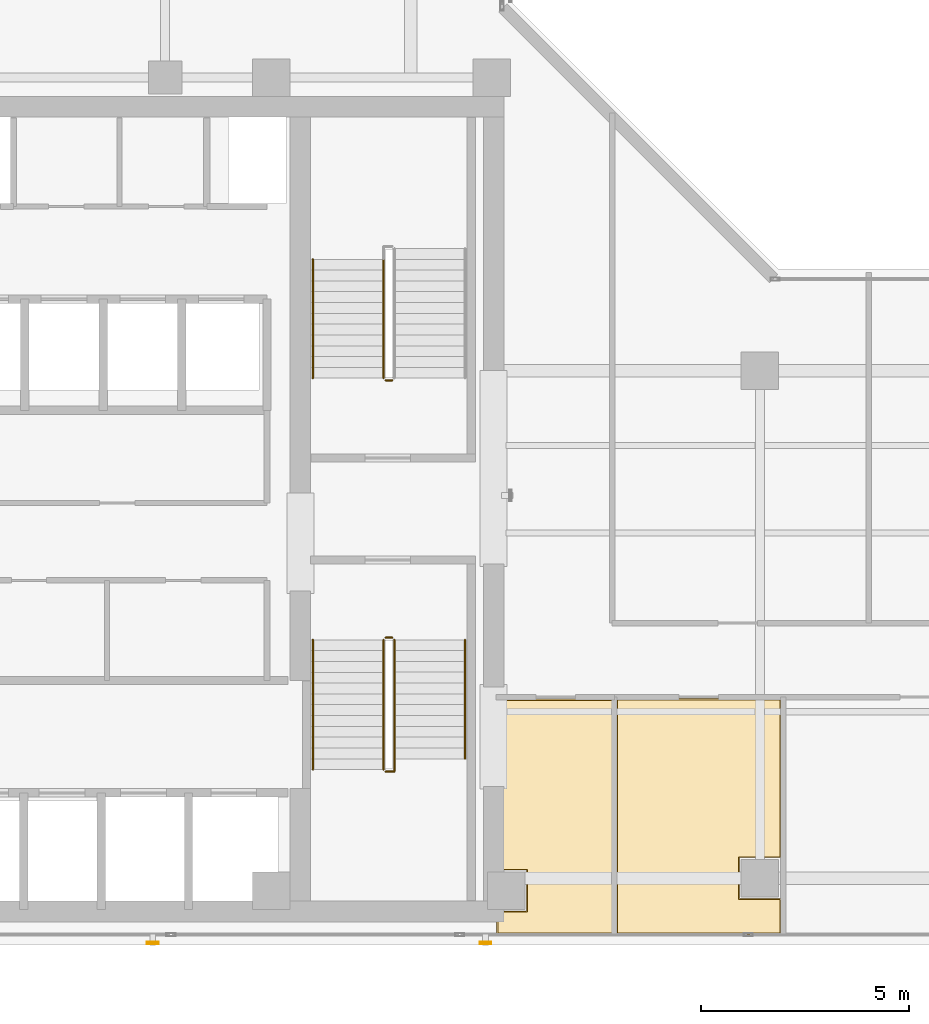
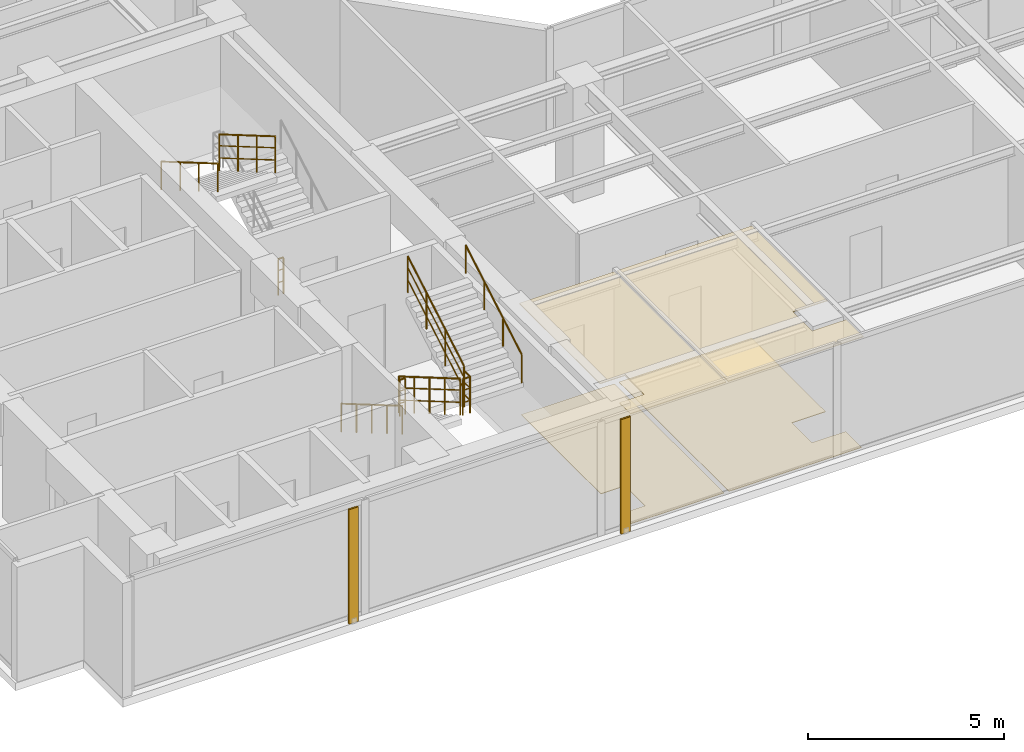
# One storey, part 19 of 23: 9 railings, 4 coverings, 2 shading devices.
"""IFC4 building model written with IfcOpenShell, lengths in metres."""

from ifc_helpers import new_model, si_unit, direction, frame, origin, origin_2d, place, context, subcontext, project, spatial, polyline, hollow_rectangle, circle, outline, extrude, material, layer, layer_set, material_profile, profile_set, type_object, element, save


model = new_model("IFC4")

# Units and contexts
model_context = context("Model", 3, precision=1e-05, world=origin(), true_north=direction((0.0, 1.0)))
body_context = subcontext(model_context, "Body", "Model", "MODEL_VIEW")
ifc_project = project(units=[si_unit("LENGTHUNIT", "METRE"), si_unit("AREAUNIT", "SQUARE_METRE"), si_unit("VOLUMEUNIT", "CUBIC_METRE"), si_unit("PLANEANGLEUNIT", "RADIAN"), si_unit("MASSUNIT", "GRAM", prefix="KILO")], contexts=[model_context])

# Site, building, storey
site_placement = place(None, origin())
site = spatial("IfcSite", under=ifc_project, at=site_placement, CompositionType="ELEMENT")
building_placement = place(site_placement, origin())
building = spatial("IfcBuilding", under=site, at=building_placement, Name="Kolvaren Waterfront Exchange", CompositionType="ELEMENT")
storey_placement = place(building_placement, frame((0.0, 0.0, 319.800048828125)))
storey = spatial("IfcBuildingStorey", under=building, at=storey_placement, Name="L82", CompositionType="ELEMENT", Elevation=319.800048828125)

# Coverings
ifc_material_1 = material(Name="Mineral fibre acoustic ceiling tile")
ifc_layer_1 = layer(ifc_material_1, 0.02490234375, Name="Mineral fibre acoustic ceiling tile")
ifc_layer_set_1 = layer_set([ifc_layer_1], Name="Mineral fibre acoustic ceiling tile")
covering_type_1 = type_object("IfcCoveringType", Name="ARC-CEIL-ACOUSTIC-25", PredefinedType="CEILING", material=ifc_layer_set_1)
covering_1_placement = place(storey_placement, frame((0.0, 0.0, 3.445068359375)))
element("IfcCovering", 1, at=covering_1_placement, inside=storey, type_object=covering_type_1, Name="L82 acoustic suspended ceiling 2", PredefinedType="CEILING", context=body_context, shape_type="SweptSolid", body=[
    extrude(outline(polyline([(20.864990234375, 5.389892578125), (21.590087890625, 5.389892578125), (21.590087890625, 4.409912109375), (20.864990234375, 4.409912109375), (20.864990234375, 3.844970703125), (23.675048828125, 3.844970703125), (23.675048828125, 9.5048828125), (20.864990234375, 9.5048828125), (20.864990234375, 5.389892578125)])), origin(), (0.0, 0.0, 1.0), 0.02490234375),
])
covering_2_placement = place(storey_placement, frame((0.0, 0.0, 3.445068359375)))
element("IfcCovering", 2, at=covering_2_placement, inside=storey, type_object=covering_type_1, Name="L82 acoustic suspended ceiling 3", PredefinedType="CEILING", context=body_context, shape_type="SweptSolid", body=[
    extrude(outline(polyline([(27.715087890625, 5.675048828125), (27.715087890625, 9.514892578125), (23.7451171875, 9.514892578125), (23.7451171875, 3.844970703125), (27.715087890625, 3.844970703125), (27.715087890625, 4.72509765625), (27.68994140625, 4.72509765625), (27.68994140625, 4.7099609375), (26.7099609375, 4.7099609375), (26.7099609375, 5.68994140625), (27.68994140625, 5.68994140625), (27.68994140625, 5.675048828125), (27.715087890625, 5.675048828125)])), origin(), (0.0, 0.0, 1.0), 0.02490234375),
])

# Shading devices
ifc_material_2 = material(Name="Anodised bronze aluminium 6063-T6", Category="aluminium")
ifc_material_profile = material_profile(ifc_material_2, hollow_rectangle(XDim=0.054931640625, YDim=0.280029296875, WallThickness=0.00439453125, at=origin_2d()), Name="BRZ-FIN-280x55x4.5")
ifc_profile_set = profile_set([ifc_material_profile], Name="Anodised bronze aluminium 6063-T6")
shading_device_type = type_object("IfcShadingDeviceType", Name="ARC-FIN-280", PredefinedType="USERDEFINED", material=ifc_profile_set)
for number, where, z_axis, x_axis, name in (
    (3, (12.60009765625, 3.639892578125, 0.0), (0.0, 0.0, 1.0), (0.0, -1.0, 0.0), "L82 anodised bronze solar shading fin FIN-L82-S1"),
    (4, (20.60009765625, 3.639892578125, 0.0), (0.0, 0.0, 1.0), (0.0, -1.0, 0.0), "L82 anodised bronze solar shading fin FIN-L82-S2"),
):
    element("IfcShadingDevice", number, at=place(storey_placement, frame(where, z_axis=z_axis, x_axis=x_axis)), inside=storey, type_object=shading_device_type, Name=name, ObjectType="SOLAR FIN", PredefinedType="USERDEFINED", context=body_context, shape_type="SweptSolid", body=[
        extrude(hollow_rectangle(XDim=0.054931640625, YDim=0.280029296875, WallThickness=0.00439453125, at=origin_2d()), origin(), (0.0, 0.0, 1.0), 3.56005859375),
    ])

# Coverings
ifc_material_3 = material(Name="Slip-resistant porcelain tile")
ifc_layer_2 = layer(ifc_material_3, 0.014892578125, Name="Slip-resistant porcelain tile")
ifc_layer_set_2 = layer_set([ifc_layer_2], Name="Slip-resistant porcelain tile")
covering_type_2 = type_object("IfcCoveringType", Name="ARC-FLR-PORC-15", PredefinedType="FLOORING", material=ifc_layer_set_2)
covering_3_placement = place(storey_placement, origin())
element("IfcCovering", 5, at=covering_3_placement, inside=storey, type_object=covering_type_2, Name="L82 floor finish 2", PredefinedType="FLOORING", context=body_context, shape_type="SweptSolid", body=[
    extrude(outline(polyline([(20.89990234375, 4.389892578125), (20.89990234375, 3.8798828125), (23.639892578125, 3.8798828125), (23.639892578125, 9.469970703125), (20.89990234375, 9.469970703125), (20.89990234375, 5.409912109375), (21.610107421875, 5.409912109375), (21.610107421875, 4.389892578125), (20.89990234375, 4.389892578125)])), origin(), (0.0, 0.0, 1.0), 0.014892578125),
])
covering_4_placement = place(storey_placement, origin())
element("IfcCovering", 6, at=covering_4_placement, inside=storey, type_object=covering_type_2, Name="L82 floor finish 3", PredefinedType="FLOORING", context=body_context, shape_type="SweptSolid", body=[
    extrude(outline(polyline([(23.780029296875, 9.47998046875), (23.780029296875, 3.8798828125), (27.679931640625, 3.8798828125), (27.679931640625, 4.68994140625), (26.68994140625, 4.68994140625), (26.68994140625, 5.7099609375), (27.679931640625, 5.7099609375), (27.679931640625, 9.47998046875), (23.780029296875, 9.47998046875)])), origin(), (0.0, 0.0, 1.0), 0.014892578125),
])

# Railings
ifc_material_4 = material(Name="Stainless steel 316", Category="steel")
railing_type_1 = type_object("IfcRailingType", Name="ARC-GUARD-STAIR", PredefinedType="GUARDRAIL", material=ifc_material_4)
railing_1_placement = place(storey_placement, frame((18.14990234375, 10.929931640625, 0.15185546875)))
element("IfcRailing", 7, at=railing_1_placement, inside=storey, type_object=railing_type_1, Name="L82 ST1 stair guard 1", PredefinedType="GUARDRAIL", context=body_context, shape_type="SweptSolid", body=[
    extrude(circle(Radius=0.02392578125, at=origin_2d()), frame((0.0, 0.0, 1.1259765625), z_axis=(0.0, -0.86329090724, 0.504706656858), x_axis=(1.0, 0.0, 0.0)), (0.0, 0.0, 1.0), 3.614013671875),
    extrude(circle(Radius=0.01611328125, at=origin_2d()), frame((0.0, 0.0, 0.390869140625), z_axis=(0.0, -0.86329090724, 0.504706656858), x_axis=(1.0, 0.0, 0.0)), (0.0, 0.0, 1.0), 3.614013671875),
    extrude(circle(Radius=0.01611328125, at=origin_2d()), frame((0.0, 0.0, 0.7705078125), z_axis=(0.0, -0.86329090724, 0.504706656858), x_axis=(1.0, 0.0, 0.0)), (0.0, 0.0, 1.0), 3.614013671875),
    extrude(circle(Radius=0.02099609375, at=origin_2d()), origin(), (0.0, 0.0, 1.0), 1.101806640625),
    extrude(circle(Radius=0.02099609375, at=origin_2d()), frame((0.0, -0.780029296875, 0.4560546875)), (0.0, 0.0, 1.0), 1.101806640625),
    extrude(circle(Radius=0.02099609375, at=origin_2d()), frame((0.0, -1.56005859375, 0.912109375)), (0.0, 0.0, 1.0), 1.101806640625),
    extrude(circle(Radius=0.02099609375, at=origin_2d()), frame((0.0, -2.33984375, 1.367919921875)), (0.0, 0.0, 1.0), 1.101806640625),
    extrude(circle(Radius=0.02099609375, at=origin_2d()), frame((0.0, -3.119873046875, 1.823974609375)), (0.0, 0.0, 1.0), 1.101806640625),
])
railing_2_placement = place(storey_placement, frame((18.199951171875, 7.760009765625, 1.975830078125)))
element("IfcRailing", 8, at=railing_2_placement, inside=storey, type_object=railing_type_1, Name="L82 ST1 stair guard 2", PredefinedType="GUARDRAIL", context=body_context, shape_type="SweptSolid", body=[
    extrude(circle(Radius=0.02392578125, at=origin_2d()), frame((0.0, 0.0, 1.1259765625), z_axis=(1.0, 0.0, 0.0), x_axis=(0.0, 1.0, 0.0)), (0.0, 0.0, 1.0), 0.2099609375),
    extrude(circle(Radius=0.01611328125, at=origin_2d()), frame((0.0, 0.0, 0.390869140625), z_axis=(1.0, 0.0, 0.0), x_axis=(0.0, 1.0, 0.0)), (0.0, 0.0, 1.0), 0.2099609375),
    extrude(circle(Radius=0.01611328125, at=origin_2d()), frame((0.0, 0.0, 0.7705078125), z_axis=(1.0, 0.0, 0.0), x_axis=(0.0, 1.0, 0.0)), (0.0, 0.0, 1.0), 0.2099609375),
    extrude(circle(Radius=0.02392578125, at=origin_2d()), frame((0.2099609375, 0.0, 1.1259765625), z_axis=(0.0, 1.0, 0.0), x_axis=(-1.0, 0.0, 0.0)), (0.0, 0.0, 1.0), 0.31005859375),
    extrude(circle(Radius=0.01611328125, at=origin_2d()), frame((0.2099609375, 0.0, 0.390869140625), z_axis=(0.0, 1.0, 0.0), x_axis=(-1.0, 0.0, 0.0)), (0.0, 0.0, 1.0), 0.31005859375),
    extrude(circle(Radius=0.01611328125, at=origin_2d()), frame((0.2099609375, 0.0, 0.7705078125), z_axis=(0.0, 1.0, 0.0), x_axis=(-1.0, 0.0, 0.0)), (0.0, 0.0, 1.0), 0.31005859375),
    extrude(circle(Radius=0.02099609375, at=origin_2d()), origin(), (0.0, 0.0, 1.0), 1.101806640625),
    extrude(circle(Radius=0.02099609375, at=origin_2d()), frame((0.2099609375, 0.0, 0.0)), (0.0, 0.0, 1.0), 1.101806640625),
    extrude(circle(Radius=0.02099609375, at=origin_2d()), frame((0.2099609375, 0.31005859375, 0.0)), (0.0, 0.0, 1.0), 1.101806640625),
])
railing_3_placement = place(storey_placement, frame((18.409912109375, 8.070068359375, 2.1279296875)))
element("IfcRailing", 9, at=railing_3_placement, inside=storey, type_object=railing_type_1, Name="L82 ST1 stair guard 3", PredefinedType="GUARDRAIL", context=body_context, shape_type="SweptSolid", body=[
    extrude(circle(Radius=0.02392578125, at=origin_2d()), frame((0.0, 0.0, 1.1259765625), z_axis=(0.0, 0.863270611444, 0.50474137082), x_axis=(-1.0, 0.0, 0.0)), (0.0, 0.0, 1.0), 3.312744140625),
    extrude(circle(Radius=0.01611328125, at=origin_2d()), frame((0.0, 0.0, 0.390869140625), z_axis=(0.0, 0.863270611444, 0.50474137082), x_axis=(-1.0, 0.0, 0.0)), (0.0, 0.0, 1.0), 3.312744140625),
    extrude(circle(Radius=0.01611328125, at=origin_2d()), frame((0.0, 0.0, 0.7705078125), z_axis=(0.0, 0.863270611444, 0.50474137082), x_axis=(-1.0, 0.0, 0.0)), (0.0, 0.0, 1.0), 3.312744140625),
    extrude(circle(Radius=0.02099609375, at=origin_2d()), origin(), (0.0, 0.0, 1.0), 1.101806640625),
    extrude(circle(Radius=0.02099609375, at=origin_2d()), frame((0.0, 0.953369140625, 0.557373046875)), (0.0, 0.0, 1.0), 1.101806640625),
    extrude(circle(Radius=0.02099609375, at=origin_2d()), frame((0.0, 1.906494140625, 1.11474609375)), (0.0, 0.0, 1.0), 1.101806640625),
    extrude(circle(Radius=0.02099609375, at=origin_2d()), frame((0.0, 2.85986328125, 1.672119140625)), (0.0, 0.0, 1.0), 1.101806640625),
])
railing_4_placement = place(storey_placement, frame((18.199951171875, 10.97998046875, 0.0)))
element("IfcRailing", 10, at=railing_4_placement, inside=storey, type_object=railing_type_1, Name="L82 ST1 stair guard 4", PredefinedType="GUARDRAIL", context=body_context, shape_type="SweptSolid", body=[
    extrude(circle(Radius=0.02392578125, at=origin_2d()), frame((0.0, 0.0, 1.1259765625), z_axis=(1.0, 0.0, 0.0), x_axis=(0.0, 1.0, 0.0)), (0.0, 0.0, 1.0), 0.16015625),
    extrude(circle(Radius=0.01611328125, at=origin_2d()), frame((0.0, 0.0, 0.390869140625), z_axis=(1.0, 0.0, 0.0), x_axis=(0.0, 1.0, 0.0)), (0.0, 0.0, 1.0), 0.16015625),
    extrude(circle(Radius=0.01611328125, at=origin_2d()), frame((0.0, 0.0, 0.7705078125), z_axis=(1.0, 0.0, 0.0), x_axis=(0.0, 1.0, 0.0)), (0.0, 0.0, 1.0), 0.16015625),
    extrude(circle(Radius=0.02099609375, at=origin_2d()), origin(), (0.0, 0.0, 1.0), 1.101806640625),
    extrude(circle(Radius=0.02099609375, at=origin_2d()), frame((0.16015625, 0.0, 0.0)), (0.0, 0.0, 1.0), 1.101806640625),
])
railing_5_placement = place(storey_placement, frame((18.14990234375, 20.080078125, 2.1279296875)))
element("IfcRailing", 11, at=railing_5_placement, inside=storey, type_object=railing_type_1, Name="L82 ST2 stair guard 3", PredefinedType="GUARDRAIL", context=body_context, shape_type="SweptSolid", body=[
    extrude(circle(Radius=0.02392578125, at=origin_2d()), frame((0.0, 0.0, 1.1259765625), z_axis=(0.0, -0.863289384635, 0.504709261235), x_axis=(1.0, 0.0, 0.0)), (0.0, 0.0, 1.0), 3.31298828125),
    extrude(circle(Radius=0.01611328125, at=origin_2d()), frame((0.0, 0.0, 0.390869140625), z_axis=(0.0, -0.863289384635, 0.504709261235), x_axis=(1.0, 0.0, 0.0)), (0.0, 0.0, 1.0), 3.31298828125),
    extrude(circle(Radius=0.01611328125, at=origin_2d()), frame((0.0, 0.0, 0.7705078125), z_axis=(0.0, -0.863289384635, 0.504709261235), x_axis=(1.0, 0.0, 0.0)), (0.0, 0.0, 1.0), 3.31298828125),
    extrude(circle(Radius=0.02099609375, at=origin_2d()), origin(), (0.0, 0.0, 1.0), 1.101806640625),
    extrude(circle(Radius=0.02099609375, at=origin_2d()), frame((0.0, -0.953369140625, 0.557373046875)), (0.0, 0.0, 1.0), 1.101806640625),
    extrude(circle(Radius=0.02099609375, at=origin_2d()), frame((0.0, -1.90673828125, 1.11474609375)), (0.0, 0.0, 1.0), 1.101806640625),
    extrude(circle(Radius=0.02099609375, at=origin_2d()), frame((0.0, -2.860107421875, 1.672119140625)), (0.0, 0.0, 1.0), 1.101806640625),
])
railing_6_placement = place(storey_placement, frame((18.360107421875, 17.169921875, 0.0)))
element("IfcRailing", 12, at=railing_6_placement, inside=storey, type_object=railing_type_1, Name="L82 ST2 stair guard 4", PredefinedType="GUARDRAIL", context=body_context, shape_type="SweptSolid", body=[
    extrude(circle(Radius=0.02392578125, at=origin_2d()), frame((0.0, 0.0, 1.1259765625), z_axis=(-1.0, 0.0, 0.0), x_axis=(0.0, -1.0, 0.0)), (0.0, 0.0, 1.0), 0.16015625),
    extrude(circle(Radius=0.01611328125, at=origin_2d()), frame((0.0, 0.0, 0.390869140625), z_axis=(-1.0, 0.0, 0.0), x_axis=(0.0, -1.0, 0.0)), (0.0, 0.0, 1.0), 0.16015625),
    extrude(circle(Radius=0.01611328125, at=origin_2d()), frame((0.0, 0.0, 0.7705078125), z_axis=(-1.0, 0.0, 0.0), x_axis=(0.0, -1.0, 0.0)), (0.0, 0.0, 1.0), 0.16015625),
    extrude(circle(Radius=0.02099609375, at=origin_2d()), origin(), (0.0, 0.0, 1.0), 1.101806640625),
    extrude(circle(Radius=0.02099609375, at=origin_2d()), frame((-0.16015625, 0.0, 0.0)), (0.0, 0.0, 1.0), 1.101806640625),
])
railing_type_2 = type_object("IfcRailingType", Name="ARC-HANDRAIL-900", PredefinedType="HANDRAIL", material=ifc_material_4)
railing_7_placement = place(storey_placement, frame((16.449951171875, 10.929931640625, 0.15185546875)))
element("IfcRailing", 13, at=railing_7_placement, inside=storey, type_object=railing_type_2, Name="L82 ST1 stair handrail 1", PredefinedType="HANDRAIL", context=body_context, shape_type="SweptSolid", body=[
    extrude(circle(Radius=0.02392578125, at=origin_2d()), frame((0.0, 0.0, 0.8759765625), z_axis=(0.0, -0.86329090724, 0.504706656858), x_axis=(1.0, 0.0, 0.0)), (0.0, 0.0, 1.0), 3.614013671875),
    extrude(circle(Radius=0.02099609375, at=origin_2d()), origin(), (0.0, 0.0, 1.0), 0.851806640625),
    extrude(circle(Radius=0.02099609375, at=origin_2d()), frame((0.0, -0.780029296875, 0.4560546875)), (0.0, 0.0, 1.0), 0.851806640625),
    extrude(circle(Radius=0.02099609375, at=origin_2d()), frame((0.0, -1.56005859375, 0.912109375)), (0.0, 0.0, 1.0), 0.851806640625),
    extrude(circle(Radius=0.02099609375, at=origin_2d()), frame((0.0, -2.33984375, 1.367919921875)), (0.0, 0.0, 1.0), 0.851806640625),
    extrude(circle(Radius=0.02099609375, at=origin_2d()), frame((0.0, -3.119873046875, 1.823974609375)), (0.0, 0.0, 1.0), 0.851806640625),
])
railing_8_placement = place(storey_placement, frame((20.110107421875, 8.070068359375, 2.1279296875)))
element("IfcRailing", 14, at=railing_8_placement, inside=storey, type_object=railing_type_2, Name="L82 ST1 stair handrail 2", PredefinedType="HANDRAIL", context=body_context, shape_type="SweptSolid", body=[
    extrude(circle(Radius=0.02392578125, at=origin_2d()), frame((0.0, 0.0, 0.8759765625), z_axis=(0.0, 0.863270611444, 0.50474137082), x_axis=(-1.0, 0.0, 0.0)), (0.0, 0.0, 1.0), 3.312744140625),
    extrude(circle(Radius=0.02099609375, at=origin_2d()), origin(), (0.0, 0.0, 1.0), 0.851806640625),
    extrude(circle(Radius=0.02099609375, at=origin_2d()), frame((0.0, 0.953369140625, 0.557373046875)), (0.0, 0.0, 1.0), 0.851806640625),
    extrude(circle(Radius=0.02099609375, at=origin_2d()), frame((0.0, 1.906494140625, 1.11474609375)), (0.0, 0.0, 1.0), 0.851806640625),
    extrude(circle(Radius=0.02099609375, at=origin_2d()), frame((0.0, 2.85986328125, 1.672119140625)), (0.0, 0.0, 1.0), 0.851806640625),
])
railing_9_placement = place(storey_placement, frame((16.449951171875, 20.080078125, 2.1279296875)))
element("IfcRailing", 15, at=railing_9_placement, inside=storey, type_object=railing_type_2, Name="L82 ST2 stair handrail 2", PredefinedType="HANDRAIL", context=body_context, shape_type="SweptSolid", body=[
    extrude(circle(Radius=0.02392578125, at=origin_2d()), frame((0.0, 0.0, 0.8759765625), z_axis=(0.0, -0.863289384635, 0.504709261235), x_axis=(1.0, 0.0, 0.0)), (0.0, 0.0, 1.0), 3.31298828125),
    extrude(circle(Radius=0.02099609375, at=origin_2d()), origin(), (0.0, 0.0, 1.0), 0.851806640625),
    extrude(circle(Radius=0.02099609375, at=origin_2d()), frame((0.0, -0.953369140625, 0.557373046875)), (0.0, 0.0, 1.0), 0.851806640625),
    extrude(circle(Radius=0.02099609375, at=origin_2d()), frame((0.0, -1.90673828125, 1.11474609375)), (0.0, 0.0, 1.0), 0.851806640625),
    extrude(circle(Radius=0.02099609375, at=origin_2d()), frame((0.0, -2.860107421875, 1.672119140625)), (0.0, 0.0, 1.0), 0.851806640625),
])

save(model, "model.ifc")
